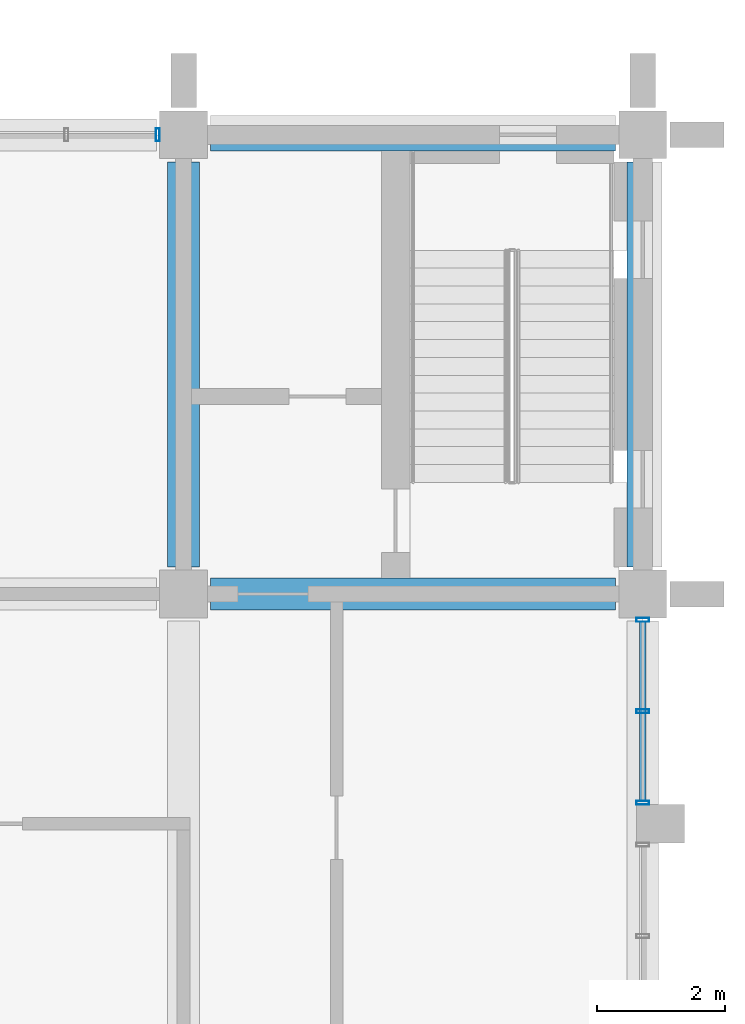
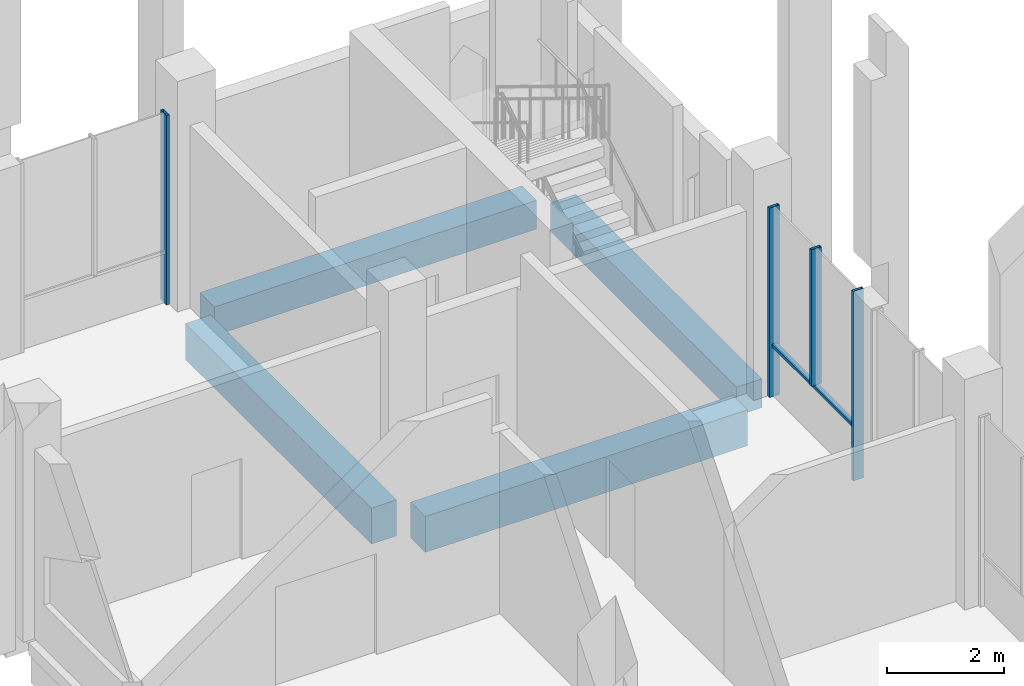
# One storey, part 23 of 40: 5 members, 4 beams, 2 elements without a shape of their own.
"""IFC4 building model written with IfcOpenShell, lengths in metres."""

from ifc_helpers import new_model, si_unit, direction, frame, origin, origin_2d, place, context, subcontext, project, spatial, rectangle, hollow_rectangle, extrude, material, material_profile, profile_set, type_object, element, aggregate, save


model = new_model("IFC4")

# Units and contexts
model_context = context("Model", 3, precision=1e-05, world=origin(), true_north=direction((0.0, 1.0)))
body_context = subcontext(model_context, "Body", "Model", "MODEL_VIEW")
ifc_project = project(units=[si_unit("LENGTHUNIT", "METRE"), si_unit("AREAUNIT", "SQUARE_METRE"), si_unit("VOLUMEUNIT", "CUBIC_METRE"), si_unit("PLANEANGLEUNIT", "RADIAN"), si_unit("MASSUNIT", "GRAM", prefix="KILO")], contexts=[model_context])

# Site, building, storey
site_placement = place(None, origin())
site = spatial("IfcSite", under=ifc_project, at=site_placement, CompositionType="ELEMENT")
building_placement = place(site_placement, origin())
building = spatial("IfcBuilding", under=site, at=building_placement, Name="Silangan Lancet Faculty of Sciences", CompositionType="ELEMENT")
storey_placement = place(building_placement, frame((0.0, 0.0, 21.60009765625)))
storey = spatial("IfcBuildingStorey", under=building, at=storey_placement, Name="L04", CompositionType="ELEMENT", Elevation=21.60009765625)

# Beams
ifc_material_1 = material(Name="Concrete C40/50", Category="concrete")
ifc_material_profile_1 = material_profile(ifc_material_1, rectangle(XDim=0.5, YDim=0.60009765625, at=origin_2d()), Name="RC 500x600")
ifc_profile_set_1 = profile_set([ifc_material_profile_1], Name="Concrete C40/50")
beam_type_1 = type_object("IfcBeamType", Name="BEAM RC 500x600", PredefinedType="BEAM", material=ifc_profile_set_1)
for number, where, z_axis, x_axis, name in (
    (1, (79.625, 57.60009765625, -0.550048828125), (1.0, 0.0, 0.0), (0.0, 1.0, 0.0), "BM-L04-12I-13I"),
    (2, (86.39990234375, 50.824951171875, -0.550048828125), (0.0, 1.0, 0.0), (-1.0, 0.0, 0.0), "BM-L04-13H-13I"),
):
    element("IfcBeam", number, at=place(storey_placement, frame(where, z_axis=z_axis, x_axis=x_axis)), inside=storey, type_object=beam_type_1, Name=name, PredefinedType="BEAM", context=body_context, shape_type="SweptSolid", body=[
        extrude(rectangle(XDim=0.5, YDim=0.60009765625, at=origin_2d()), origin(), (0.0, 0.0, 1.0), 6.35009765625),
    ])
ifc_material_2 = material(Name="Concrete C40/50", Category="concrete")
ifc_material_profile_2 = material_profile(ifc_material_2, rectangle(XDim=0.5, YDim=0.75, at=origin_2d()), Name="RC 500x750")
ifc_profile_set_2 = profile_set([ifc_material_profile_2], Name="Concrete C40/50")
beam_type_2 = type_object("IfcBeamType", Name="BEAM RC 500x750", PredefinedType="BEAM", material=ifc_profile_set_2)
for number, where, z_axis, x_axis, name in (
    (3, (79.625, 50.39990234375, -0.625), (1.0, 0.0, 0.0), (0.0, 1.0, 0.0), "BM-L04-12H-13H"),
    (4, (79.199951171875, 50.824951171875, -0.625), (0.0, 1.0, 0.0), (-1.0, 0.0, 0.0), "BM-L04-12H-12I"),
):
    element("IfcBeam", number, at=place(storey_placement, frame(where, z_axis=z_axis, x_axis=x_axis)), inside=storey, type_object=beam_type_2, Name=name, PredefinedType="BEAM", context=body_context, shape_type="SweptSolid", body=[
        extrude(rectangle(XDim=0.5, YDim=0.75, at=origin_2d()), origin(), (0.0, 0.0, 1.0), 6.35009765625),
    ])

# Curtain wall, members
ifc_material_3 = material(Name="Aluminium framed curtain wall with insulated glass", Category="aluminium")
curtain_wall_type = type_object("IfcCurtainWallType", Name="CW1 Commons and east block glazing", PredefinedType="NOTDEFINED", material=ifc_material_3)
curtain_wall_1_placement = place(storey_placement, origin())
curtain_wall_1 = element("IfcCurtainWall", 5, at=curtain_wall_1_placement, inside=storey, type_object=curtain_wall_type, Name="CW1 East commons L04 bay 12", PredefinedType="NOTDEFINED")
ifc_material_4 = material(Name="Aluminium 6063-T6 extrusion", Category="aluminium")
ifc_material_profile_3 = material_profile(ifc_material_4, hollow_rectangle(XDim=0.06005859375, YDim=0.199951171875, WallThickness=0.00390625, at=origin_2d()), Name="AL BOX 60x200x4")
ifc_profile_set_3 = profile_set([ifc_material_profile_3], Name="Aluminium 6063-T6 extrusion")
member_type_1 = type_object("IfcMemberType", Name="CM1 Mullion 60x200", PredefinedType="MULLION", material=ifc_profile_set_3)
member_1_placement = place(storey_placement, frame((86.39990234375, 47.1298828125, 0.0), z_axis=(0.0, 0.0, 1.0), x_axis=(0.0, 1.0, 0.0)))
member_1 = element("IfcMember", 6, at=member_1_placement, type_object=member_type_1, Name="CW1 East commons L04 bay 12 mullion 1", PredefinedType="MULLION", context=body_context, shape_type="SweptSolid", body=[
    extrude(hollow_rectangle(XDim=0.06005859375, YDim=0.199951171875, WallThickness=0.00390625, at=origin_2d()), origin(), (0.0, 0.0, 1.0), 3.949951171875),
])
member_2_placement = place(storey_placement, frame((86.39990234375, 49.9951171875, 0.0), z_axis=(0.0, 0.0, 1.0), x_axis=(0.0, 1.0, 0.0)))
member_2 = element("IfcMember", 7, at=member_2_placement, type_object=member_type_1, Name="CW1 East commons L04 bay 12 mullion 2", PredefinedType="MULLION", context=body_context, shape_type="SweptSolid", body=[
    extrude(hollow_rectangle(XDim=0.06005859375, YDim=0.199951171875, WallThickness=0.00390625, at=origin_2d()), origin(), (0.0, 0.0, 1.0), 3.949951171875),
])
member_3_placement = place(storey_placement, frame((86.39990234375, 48.5625, 1.099853515625), z_axis=(0.0, 0.0, 1.0), x_axis=(0.0, 1.0, 0.0)))
member_3 = element("IfcMember", 8, at=member_3_placement, type_object=member_type_1, Name="CW1 East commons L04 bay 12 mullion 3", PredefinedType="MULLION", context=body_context, shape_type="SweptSolid", body=[
    extrude(hollow_rectangle(XDim=0.06005859375, YDim=0.199951171875, WallThickness=0.00390625, at=origin_2d()), origin(), (0.0, 0.0, 1.0), 2.85009765625),
])

# Curtain wall, member
curtain_wall_2_placement = place(storey_placement, origin())
curtain_wall_2 = element("IfcCurtainWall", 9, at=curtain_wall_2_placement, inside=storey, type_object=curtain_wall_type, Name="CW1 East block north L04 bay 1", PredefinedType="NOTDEFINED")
member_4_placement = place(storey_placement, frame((78.794921875, 57.60009765625, 0.0), z_axis=(0.0, 0.0, 1.0), x_axis=(-1.0, 0.0, 0.0)))
member_4 = element("IfcMember", 10, at=member_4_placement, type_object=member_type_1, Name="CW1 East block north L04 bay 1 mullion 1", PredefinedType="MULLION", context=body_context, shape_type="SweptSolid", body=[
    extrude(hollow_rectangle(XDim=0.06005859375, YDim=0.199951171875, WallThickness=0.00390625, at=origin_2d()), origin(), (0.0, 0.0, 1.0), 3.949951171875),
])
aggregate(curtain_wall_2, [member_4])

# Member
ifc_material_5 = material(Name="Aluminium 6063-T6 extrusion", Category="aluminium")
ifc_material_profile_4 = material_profile(ifc_material_5, hollow_rectangle(XDim=0.10009765625, YDim=0.06005859375, WallThickness=0.0029296875, at=origin_2d()), Name="AL BOX 100x60x3")
ifc_profile_set_4 = profile_set([ifc_material_profile_4], Name="Aluminium 6063-T6 extrusion")
member_type_2 = type_object("IfcMemberType", Name="CT1 Transom 100x60", PredefinedType="USERDEFINED", material=ifc_profile_set_4)
member_5_placement = place(storey_placement, frame((86.39990234375, 47.159912109375, 1.06982421875), z_axis=(0.0, 1.0, 0.0), x_axis=(-1.0, 0.0, 0.0)))
member_5 = element("IfcMember", 11, at=member_5_placement, type_object=member_type_2, Name="CW1 East commons L04 bay 12 transom 1", ObjectType="TRANSOM", PredefinedType="USERDEFINED", context=body_context, shape_type="SweptSolid", body=[
    extrude(hollow_rectangle(XDim=0.10009765625, YDim=0.06005859375, WallThickness=0.0029296875, at=origin_2d()), origin(), (0.0, 0.0, 1.0), 2.80517578125),
])

aggregate(curtain_wall_1, [member_1, member_2, member_3, member_5])

save(model, "model.ifc")
